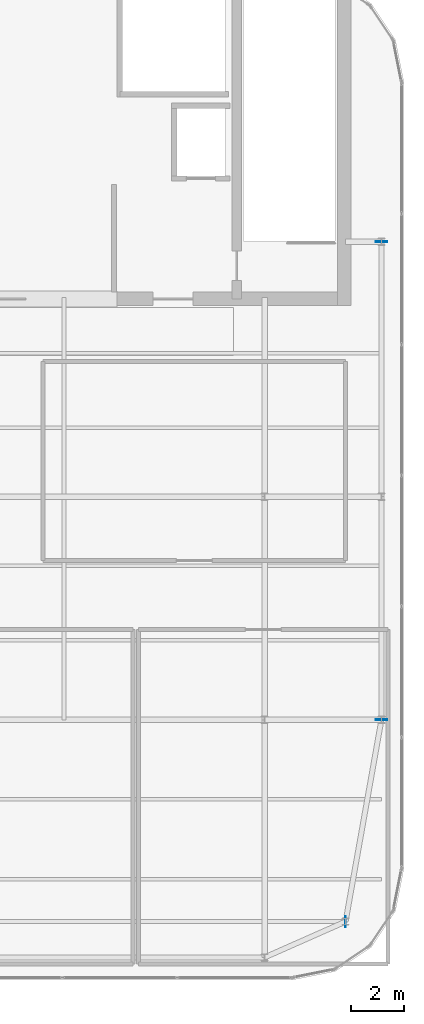
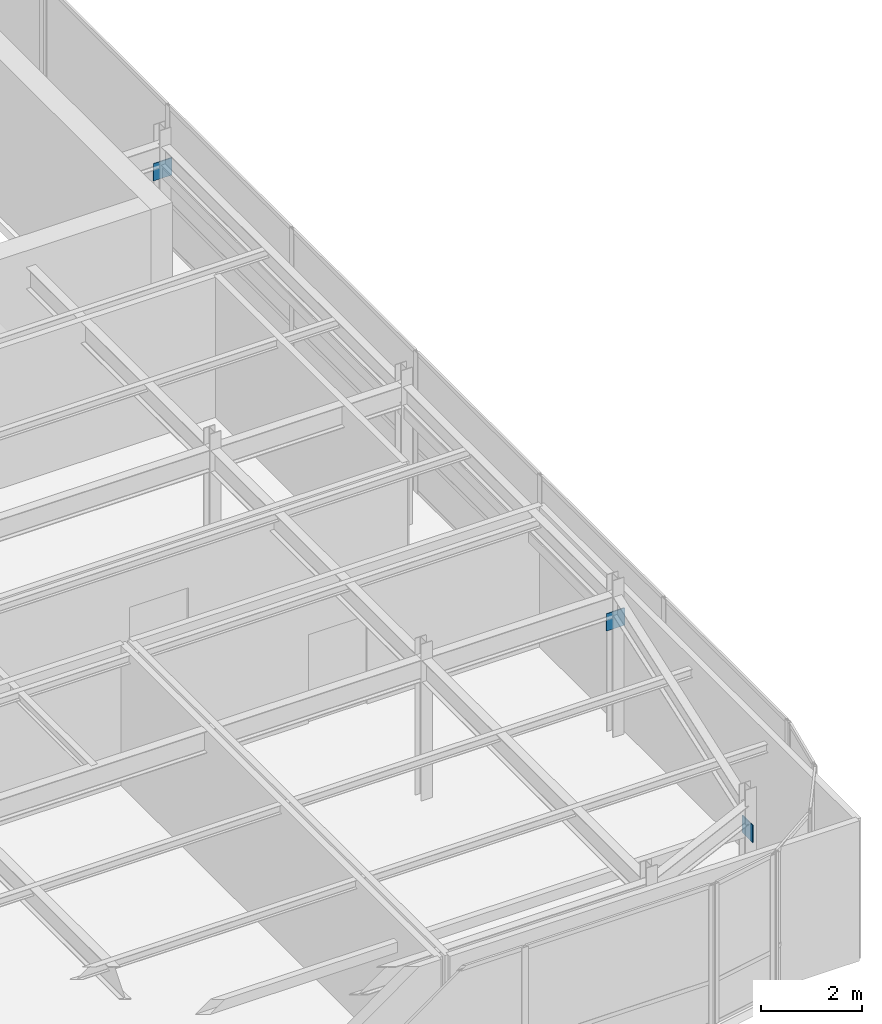
# One storey, part 32 of 35: 3 plates.
"""IFC4 building model written with IfcOpenShell, lengths in metres."""

from ifc_helpers import new_model, si_unit, direction, frame, origin, origin_2d, place, context, subcontext, project, spatial, rectangle, extrude, source, transform, mapped, material, layer, layer_set, type_object, type_shapes, element, save


model = new_model("IFC4")

# Units and contexts
model_context = context("Model", 3, precision=1e-05, world=origin(), true_north=direction((0.0, 1.0)))
body_context = subcontext(model_context, "Body", "Model", "MODEL_VIEW")
ifc_project = project(units=[si_unit("LENGTHUNIT", "METRE"), si_unit("AREAUNIT", "SQUARE_METRE"), si_unit("VOLUMEUNIT", "CUBIC_METRE"), si_unit("PLANEANGLEUNIT", "RADIAN"), si_unit("MASSUNIT", "GRAM", prefix="KILO")], contexts=[model_context])

# Site, building, storey
site_placement = place(None, origin())
site = spatial("IfcSite", under=ifc_project, at=site_placement, CompositionType="ELEMENT")
building_placement = place(site_placement, origin())
building = spatial("IfcBuilding", under=site, at=building_placement, Name="Tolvann Quenvar Hotel", CompositionType="ELEMENT")
storey_placement = place(building_placement, frame((0.0, 0.0, 309.949951171875)))
storey = spatial("IfcBuildingStorey", under=building, at=storey_placement, Name="L82", CompositionType="ELEMENT", Elevation=309.949951171875)

# Plates
ifc_material = material(Name="Steel Grade 350", Category="steel")
ifc_layer = layer(ifc_material, 0.02490234375)
ifc_layer_set = layer_set([ifc_layer], Name="Steel Grade 350")
plate_type = type_object("IfcPlateType", Name="PLT_ENDCAP_25", PredefinedType="SHEET", material=ifc_layer_set)
shared_shape_1 = source(origin(), body_context, "Body", "SweptSolid", [
    extrude(rectangle(XDim=0.02490234375, YDim=0.419921875, at=origin_2d()), origin(), (0.0, 0.0, 1.0), 0.419921875),
])
plate_placement = place(storey_placement, frame((35.800048828125, 8.39990234375, 2.5400390625), z_axis=(0.0, 0.0, 1.0), x_axis=(1.0, 0.0, 0.0)))
element("IfcPlate", 1, at=plate_placement, inside=storey, type_object=plate_type, Name="Crown Ring End Cap Plate EC-1 (L82-1-2)", PredefinedType="SHEET", context=body_context, shape_type="MappedRepresentation", body=[
    mapped(shared_shape_1, transform((0.0, 0.0, 0.0), x_axis=(1.0, 0.0, 0.0), y_axis=(0.0, 1.0, 0.0), z_axis=(0.0, 0.0, 1.0), scale=1.0)),
])
shared_shape_2 = source(origin(), body_context, "Body", "SweptSolid", [
    extrude(rectangle(XDim=0.419921875, YDim=0.02490234375, at=origin_2d()), origin(), (0.0, 0.0, 1.0), 0.419921875),
])
type_shapes(plate_type, [shared_shape_1, shared_shape_2])
for number, where, z_axis, x_axis, name in (
    (2, (37.14990234375, 16.0, 2.5400390625), (0.0, 0.0, 1.0), (1.0, 0.0, 0.0), "Crown Ring End Cap Plate EC-1 (L82-3-1)"),
    (3, (37.14990234375, 34.0, 2.5400390625), (0.0, 0.0, 1.0), (1.0, 0.0, 0.0), "Crown Ring End Cap Plate EC-1 (L82-3-2)"),
):
    element("IfcPlate", number, at=place(storey_placement, frame(where, z_axis=z_axis, x_axis=x_axis)), inside=storey, type_object=plate_type, Name=name, PredefinedType="SHEET", context=body_context, shape_type="MappedRepresentation", body=[
        mapped(shared_shape_2, transform((0.0, 0.0, 0.0), x_axis=(1.0, 0.0, 0.0), y_axis=(0.0, 1.0, 0.0), z_axis=(0.0, 0.0, 1.0), scale=1.0)),
    ])

save(model, "model.ifc")
